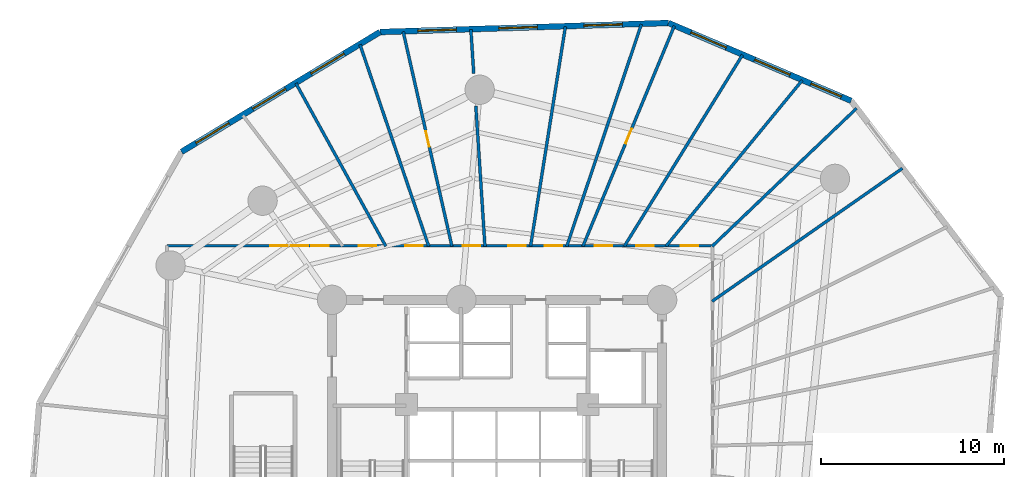
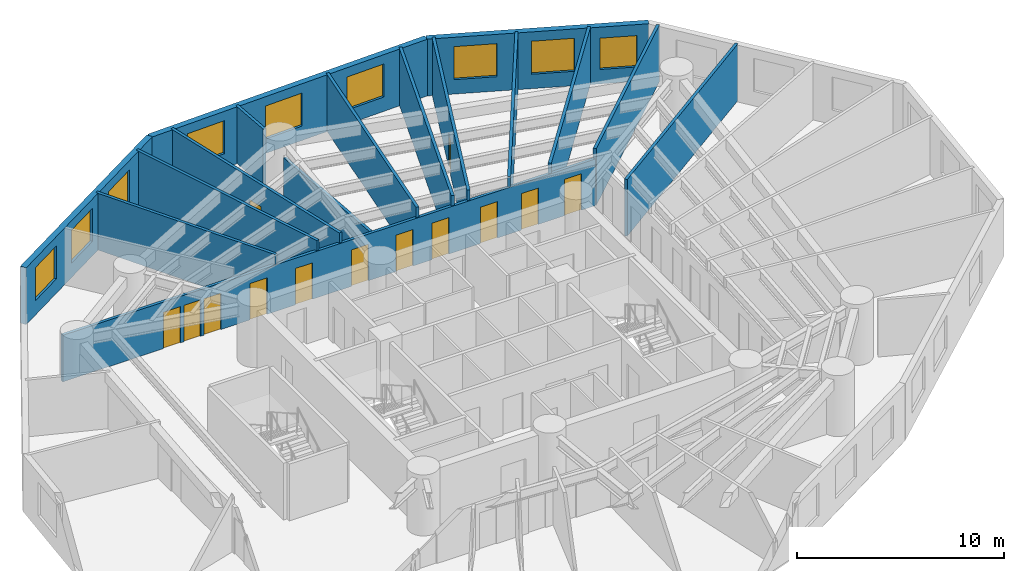
# One storey, part 6 of 8: 16 walls, 13 doors, 9 windows, 22 openings.
"""IFC4 building model written with IfcOpenShell, lengths in metres."""

from ifc_helpers import new_model, si_unit, direction, frame, frame_2d, origin, origin_with_axes, place, context, subcontext, project, spatial, rectangle, extrude, source, transform, mapped, material, layer, layer_set, type_object, element, fill, save


model = new_model("IFC4")

# Units and contexts
model_context = context("Model", 3, precision=1e-05, world=origin(), true_north=direction((0.0, 1.0)))
body_context = subcontext(model_context, "Body", "Model", "MODEL_VIEW")
ifc_project = project(units=[si_unit("LENGTHUNIT", "METRE"), si_unit("AREAUNIT", "SQUARE_METRE"), si_unit("VOLUMEUNIT", "CUBIC_METRE"), si_unit("PLANEANGLEUNIT", "RADIAN"), si_unit("MASSUNIT", "GRAM", prefix="KILO")], contexts=[model_context])

# Site, building, storey
site_placement = place(None, origin())
site = spatial("IfcSite", under=ifc_project, at=site_placement, CompositionType="ELEMENT")
building_placement = place(site_placement, origin())
building = spatial("IfcBuilding", under=site, at=building_placement, Name="Karkom Vertical University and Central Library", CompositionType="ELEMENT")
storey_placement = place(building_placement, frame((0.0, 0.0, 33.699951171875)))
storey = spatial("IfcBuildingStorey", under=building, at=storey_placement, Name="L08", CompositionType="ELEMENT", Elevation=33.699951171875)

# Wall, openings, windows
ifc_material_1 = material(Name="Brick-faced precast concrete C45/55", Category="masonry")
ifc_layer_1 = layer(ifc_material_1, 0.320068359375)
ifc_layer_set_1 = layer_set([ifc_layer_1], Name="Brick-faced precast concrete C45/55")
wall_type_1 = type_object("IfcWallType", Name="ENV-WL-BRK-320", PredefinedType="SOLIDWALL", material=ifc_layer_set_1)
wall_1_placement = place(storey_placement, frame((22.1162109375, 49.305908203125, 0.0), z_axis=(0.0, 0.0, 1.0), x_axis=(-0.856078953707, -0.516845068681, 0.0)))
wall_1 = element("IfcWall", 1, at=wall_1_placement, inside=storey, type_object=wall_type_1, Name="Level 08 Brick-Faced Precast Facade Wall 01", PredefinedType="SOLIDWALL", context=body_context, shape_type="SweptSolid", body=[
    extrude(rectangle(XDim=12.643310546875, YDim=0.320068359375, at=frame_2d((6.32177734375, 0.0))), origin(), (0.0, 0.0, 1.0), 3.35009765625),
])
opening_1_placement = place(wall_1_placement, frame((2.285888671875, 0.0, 0.85009765625)))
opening_1 = element("IfcOpeningElement", 2, at=opening_1_placement, cuts=wall_1, Name="Opening WN-03", PredefinedType="OPENING", context=body_context, shape_type="SweptSolid", body=[
    extrude(rectangle(XDim=2.10009765625, YDim=1.949951171875, at=frame_2d((1.050048828125, 0.97509765625))), frame((0.0, 0.169921875, 0.0), z_axis=(0.0, -1.0, 0.0), x_axis=(1.0, 0.0, 0.0)), (0.0, 0.0, 1.0), 0.340087890625),
])
opening_2_placement = place(wall_1_placement, frame((6.010986328125, 0.0, 0.85009765625)))
opening_2 = element("IfcOpeningElement", 3, at=opening_2_placement, cuts=wall_1, Name="Opening WN-03", PredefinedType="OPENING", context=body_context, shape_type="SweptSolid", body=[
    extrude(rectangle(XDim=2.10009765625, YDim=1.949951171875, at=frame_2d((1.050048828125, 0.97509765625))), frame((0.0, 0.169921875, 0.0), z_axis=(0.0, -1.0, 0.0), x_axis=(1.0, 0.0, 0.0)), (0.0, 0.0, 1.0), 0.340087890625),
])
opening_3_placement = place(wall_1_placement, frame((9.6162109375, 0.0, 0.85009765625)))
opening_3 = element("IfcOpeningElement", 4, at=opening_3_placement, cuts=wall_1, Name="Opening WN-03", PredefinedType="OPENING", context=body_context, shape_type="SweptSolid", body=[
    extrude(rectangle(XDim=2.10009765625, YDim=1.949951171875, at=frame_2d((1.050048828125, 0.97509765625))), frame((0.0, 0.169921875, 0.0), z_axis=(0.0, -1.0, 0.0), x_axis=(1.0, 0.0, 0.0)), (0.0, 0.0, 1.0), 0.340087890625),
])
ifc_material_2 = material(Name="Aluminium thermal-break frame with solar-control IGU", Category="aluminium")
window_type_1 = type_object("IfcWindowType", Name="ENV-WIN-WN-03", PartitioningType="SINGLE_PANEL", PredefinedType="WINDOW", material=ifc_material_2)
shared_shape_1 = source(origin_with_axes(), body_context, "Body", "SweptSolid", [
    extrude(rectangle(XDim=2.10009765625, YDim=1.949951171875, at=frame_2d((1.050048828125, 0.97509765625))), frame((0.0, 0.030029296875, 0.0), z_axis=(0.0, -1.0, 0.0), x_axis=(1.0, 0.0, 0.0)), (0.0, 0.0, 1.0), 0.06005859375),
])
window_1_placement = place(opening_1_placement, origin())
window_1 = element("IfcWindow", 5, at=window_1_placement, inside=storey, type_object=window_type_1, Name="Level 08 Punched Window 1.1", OverallHeight=1.949951171875, OverallWidth=2.10009765625, PartitioningType="SINGLE_PANEL", PredefinedType="WINDOW", context=body_context, shape_type="MappedRepresentation", body=[
    mapped(shared_shape_1, transform((0.0, 0.0, 0.0), scale=1.0)),
])
fill(opening_1, window_1)
window_2_placement = place(opening_2_placement, origin())
window_2 = element("IfcWindow", 6, at=window_2_placement, inside=storey, type_object=window_type_1, Name="Level 08 Punched Window 1.2", OverallHeight=1.949951171875, OverallWidth=2.10009765625, PartitioningType="SINGLE_PANEL", PredefinedType="WINDOW", context=body_context, shape_type="MappedRepresentation", body=[
    mapped(shared_shape_1, transform((0.0, 0.0, 0.0), scale=1.0)),
])
fill(opening_2, window_2)
window_3_placement = place(opening_3_placement, origin())
window_3 = element("IfcWindow", 7, at=window_3_placement, inside=storey, type_object=window_type_1, Name="Level 08 Punched Window 1.3", OverallHeight=1.949951171875, OverallWidth=2.10009765625, PartitioningType="SINGLE_PANEL", PredefinedType="WINDOW", context=body_context, shape_type="MappedRepresentation", body=[
    mapped(shared_shape_1, transform((0.0, 0.0, 0.0), scale=1.0)),
])
fill(opening_3, window_3)

wall_2_placement = place(storey_placement, frame((47.807373046875, 45.5546875, 0.0), z_axis=(0.0, 0.0, 1.0), x_axis=(-0.919989506937, 0.391942989637, 0.0)))
wall_2 = element("IfcWall", 8, at=wall_2_placement, inside=storey, type_object=wall_type_1, Name="Level 08 Brick-Faced Precast Facade Wall 11", PredefinedType="SOLIDWALL", context=body_context, shape_type="SweptSolid", body=[
    extrude(rectangle(XDim=10.8291015625, YDim=0.320068359375, at=frame_2d((5.41455078125, 0.0))), origin(), (0.0, 0.0, 1.0), 3.35009765625),
])
opening_4_placement = place(wall_2_placement, frame((0.58251953125, 0.0, 0.85009765625)))
opening_4 = element("IfcOpeningElement", 9, at=opening_4_placement, cuts=wall_2, Name="Opening WN-04", PredefinedType="OPENING", context=body_context, shape_type="SweptSolid", body=[
    extrude(rectangle(XDim=1.800048828125, YDim=1.85009765625, at=frame_2d((0.89990234375, 0.925048828125))), frame((0.0, 0.169921875, 0.0), z_axis=(0.0, -1.0, 0.0), x_axis=(1.0, 0.0, 0.0)), (0.0, 0.0, 1.0), 0.340087890625),
])
opening_5_placement = place(wall_2_placement, frame((3.621337890625, 0.0, 0.85009765625)))
opening_5 = element("IfcOpeningElement", 10, at=opening_5_placement, cuts=wall_2, Name="Opening WN-03", PredefinedType="OPENING", context=body_context, shape_type="SweptSolid", body=[
    extrude(rectangle(XDim=2.10009765625, YDim=1.949951171875, at=frame_2d((1.050048828125, 0.97509765625))), frame((0.0, 0.169921875, 0.0), z_axis=(0.0, -1.0, 0.0), x_axis=(1.0, 0.0, 0.0)), (0.0, 0.0, 1.0), 0.340087890625),
])
opening_6_placement = place(wall_2_placement, frame((7.405029296875, 0.0, 0.85009765625)))
opening_6 = element("IfcOpeningElement", 11, at=opening_6_placement, cuts=wall_2, Name="Opening WN-03", PredefinedType="OPENING", context=body_context, shape_type="SweptSolid", body=[
    extrude(rectangle(XDim=2.10009765625, YDim=1.949951171875, at=frame_2d((1.050048828125, 0.97509765625))), frame((0.0, 0.169921875, 0.0), z_axis=(0.0, -1.0, 0.0), x_axis=(1.0, 0.0, 0.0)), (0.0, 0.0, 1.0), 0.340087890625),
])
window_4_placement = place(opening_5_placement, origin())
window_4 = element("IfcWindow", 12, at=window_4_placement, inside=storey, type_object=window_type_1, Name="Level 08 Punched Window 11.2", OverallHeight=1.949951171875, OverallWidth=2.10009765625, PartitioningType="SINGLE_PANEL", PredefinedType="WINDOW", context=body_context, shape_type="MappedRepresentation", body=[
    mapped(shared_shape_1, transform((0.0, 0.0, 0.0), scale=1.0)),
])
fill(opening_5, window_4)
window_5_placement = place(opening_6_placement, origin())
window_5 = element("IfcWindow", 13, at=window_5_placement, inside=storey, type_object=window_type_1, Name="Level 08 Punched Window 11.3", OverallHeight=1.949951171875, OverallWidth=2.10009765625, PartitioningType="SINGLE_PANEL", PredefinedType="WINDOW", context=body_context, shape_type="MappedRepresentation", body=[
    mapped(shared_shape_1, transform((0.0, 0.0, 0.0), scale=1.0)),
])
fill(opening_6, window_5)
window_type_2 = type_object("IfcWindowType", Name="ENV-WIN-WN-04", PartitioningType="SINGLE_PANEL", PredefinedType="WINDOW", material=ifc_material_2)
shared_shape_2 = source(origin_with_axes(), body_context, "Body", "SweptSolid", [
    extrude(rectangle(XDim=1.800048828125, YDim=1.85009765625, at=frame_2d((0.89990234375, 0.925048828125))), frame((0.0, 0.030029296875, 0.0), z_axis=(0.0, -1.0, 0.0), x_axis=(1.0, 0.0, 0.0)), (0.0, 0.0, 1.0), 0.06005859375),
])
window_6_placement = place(opening_4_placement, origin())
window_6 = element("IfcWindow", 14, at=window_6_placement, inside=storey, type_object=window_type_2, Name="Level 08 Punched Window 11.1", OverallHeight=1.85009765625, OverallWidth=1.800048828125, PartitioningType="SINGLE_PANEL", PredefinedType="WINDOW", context=body_context, shape_type="MappedRepresentation", body=[
    mapped(shared_shape_2, transform((0.0, 0.0, 0.0), scale=1.0)),
])
fill(opening_4, window_6)

wall_3_placement = place(storey_placement, frame((37.8447265625, 49.799072265625, 0.0), z_axis=(0.0, 0.0, 1.0), x_axis=(-0.999508801206, -0.031339373191, 0.0)))
wall_3 = element("IfcWall", 15, at=wall_3_placement, inside=storey, type_object=wall_type_1, Name="Level 08 Brick-Faced Precast Facade Wall 12", PredefinedType="SOLIDWALL", context=body_context, shape_type="SweptSolid", body=[
    extrude(rectangle(XDim=15.736328125, YDim=0.320068359375, at=frame_2d((7.8681640625, 0.0))), origin(), (0.0, 0.0, 1.0), 3.35009765625),
])
opening_7_placement = place(wall_3_placement, frame((2.511474609375, 0.0, 0.85009765625)))
opening_7 = element("IfcOpeningElement", 16, at=opening_7_placement, cuts=wall_3, Name="Opening WN-03", PredefinedType="OPENING", context=body_context, shape_type="SweptSolid", body=[
    extrude(rectangle(XDim=2.10009765625, YDim=1.949951171875, at=frame_2d((1.050048828125, 0.97509765625))), frame((0.0, 0.169921875, 0.0), z_axis=(0.0, -1.0, 0.0), x_axis=(1.0, 0.0, 0.0)), (0.0, 0.0, 1.0), 0.340087890625),
])
opening_8_placement = place(wall_3_placement, frame((7.155029296875, 0.0, 0.85009765625)))
opening_8 = element("IfcOpeningElement", 17, at=opening_8_placement, cuts=wall_3, Name="Opening WN-03", PredefinedType="OPENING", context=body_context, shape_type="SweptSolid", body=[
    extrude(rectangle(XDim=2.10009765625, YDim=1.949951171875, at=frame_2d((1.050048828125, 0.97509765625))), frame((0.0, 0.169921875, 0.0), z_axis=(0.0, -1.0, 0.0), x_axis=(1.0, 0.0, 0.0)), (0.0, 0.0, 1.0), 0.340087890625),
])
opening_9_placement = place(wall_3_placement, frame((11.572265625, 0.0, 0.85009765625)))
opening_9 = element("IfcOpeningElement", 18, at=opening_9_placement, cuts=wall_3, Name="Opening WN-03", PredefinedType="OPENING", context=body_context, shape_type="SweptSolid", body=[
    extrude(rectangle(XDim=2.10009765625, YDim=1.949951171875, at=frame_2d((1.050048828125, 0.97509765625))), frame((0.0, 0.169921875, 0.0), z_axis=(0.0, -1.0, 0.0), x_axis=(1.0, 0.0, 0.0)), (0.0, 0.0, 1.0), 0.340087890625),
])
window_7_placement = place(opening_7_placement, origin())
window_7 = element("IfcWindow", 19, at=window_7_placement, inside=storey, type_object=window_type_1, Name="Level 08 Punched Window 12.1", OverallHeight=1.949951171875, OverallWidth=2.10009765625, PartitioningType="SINGLE_PANEL", PredefinedType="WINDOW", context=body_context, shape_type="MappedRepresentation", body=[
    mapped(shared_shape_1, transform((0.0, 0.0, 0.0), scale=1.0)),
])
fill(opening_7, window_7)
window_8_placement = place(opening_8_placement, origin())
window_8 = element("IfcWindow", 20, at=window_8_placement, inside=storey, type_object=window_type_1, Name="Level 08 Punched Window 12.2", OverallHeight=1.949951171875, OverallWidth=2.10009765625, PartitioningType="SINGLE_PANEL", PredefinedType="WINDOW", context=body_context, shape_type="MappedRepresentation", body=[
    mapped(shared_shape_1, transform((0.0, 0.0, 0.0), scale=1.0)),
])
fill(opening_8, window_8)
window_9_placement = place(opening_9_placement, origin())
window_9 = element("IfcWindow", 21, at=window_9_placement, inside=storey, type_object=window_type_1, Name="Level 08 Punched Window 12.3", OverallHeight=1.949951171875, OverallWidth=2.10009765625, PartitioningType="SINGLE_PANEL", PredefinedType="WINDOW", context=body_context, shape_type="MappedRepresentation", body=[
    mapped(shared_shape_1, transform((0.0, 0.0, 0.0), scale=1.0)),
])
fill(opening_9, window_9)

# Wall, openings, doors
ifc_material_3 = material(Name="Insulated metal-stud drywall 160mm", Category="gypsum")
ifc_layer_2 = layer(ifc_material_3, 0.159912109375)
ifc_layer_set_2 = layer_set([ifc_layer_2], Name="Insulated metal-stud drywall 160mm")
wall_type_2 = type_object("IfcWallType", Name="INT-WL-COR-160", PredefinedType="PARTITIONING", material=ifc_layer_set_2)
wall_4_placement = place(storey_placement, frame((10.5, 37.64990234375, 0.0), z_axis=(0.0, 0.0, 1.0), x_axis=(1.0, 0.0, 0.0)))
wall_4 = element("IfcWall", 22, at=wall_4_placement, inside=storey, type_object=wall_type_2, Name="Level 08 Interior Partition Wall Level 08-CORW-CW-003", PredefinedType="PARTITIONING", context=body_context, shape_type="SweptSolid", body=[
    extrude(rectangle(XDim=29.75, YDim=0.159912109375, at=frame_2d((14.875, 0.0))), origin(), (0.0, 0.0, 1.0), 2.75),
])
opening_10_placement = place(wall_4_placement, frame((28.0078125, 0.0, 0.0)))
opening_10 = element("IfcOpeningElement", 23, at=opening_10_placement, cuts=wall_4, Name="Opening D-RM1", PredefinedType="OPENING", context=body_context, shape_type="SweptSolid", body=[
    extrude(rectangle(XDim=0.949951171875, YDim=2.14990234375, at=frame_2d((0.47509765625, 1.074951171875))), frame((0.0, 0.08984375, 0.0), z_axis=(0.0, -1.0, 0.0), x_axis=(1.0, 0.0, 0.0)), (0.0, 0.0, 1.0), 0.179931640625),
])
opening_11_placement = place(wall_4_placement, frame((25.59912109375, 0.0, 0.0)))
opening_11 = element("IfcOpeningElement", 24, at=opening_11_placement, cuts=wall_4, Name="Opening D-RM1", PredefinedType="OPENING", context=body_context, shape_type="SweptSolid", body=[
    extrude(rectangle(XDim=0.949951171875, YDim=2.14990234375, at=frame_2d((0.47509765625, 1.074951171875))), frame((0.0, 0.08984375, 0.0), z_axis=(0.0, -1.0, 0.0), x_axis=(1.0, 0.0, 0.0)), (0.0, 0.0, 1.0), 0.179931640625),
])
opening_12_placement = place(wall_4_placement, frame((23.31884765625, 0.0, 0.0)))
opening_12 = element("IfcOpeningElement", 25, at=opening_12_placement, cuts=wall_4, Name="Opening D-RM1", PredefinedType="OPENING", context=body_context, shape_type="SweptSolid", body=[
    extrude(rectangle(XDim=0.949951171875, YDim=2.14990234375, at=frame_2d((0.47509765625, 1.074951171875))), frame((0.0, 0.08984375, 0.0), z_axis=(0.0, -1.0, 0.0), x_axis=(1.0, 0.0, 0.0)), (0.0, 0.0, 1.0), 0.179931640625),
])
opening_13_placement = place(wall_4_placement, frame((20.597412109375, 0.0, 0.0)))
opening_13 = element("IfcOpeningElement", 26, at=opening_13_placement, cuts=wall_4, Name="Opening D-RM1", PredefinedType="OPENING", context=body_context, shape_type="SweptSolid", body=[
    extrude(rectangle(XDim=0.949951171875, YDim=2.14990234375, at=frame_2d((0.47509765625, 1.074951171875))), frame((0.0, 0.08984375, 0.0), z_axis=(0.0, -1.0, 0.0), x_axis=(1.0, 0.0, 0.0)), (0.0, 0.0, 1.0), 0.179931640625),
])
opening_14_placement = place(wall_4_placement, frame((18.611083984375, 0.0, 0.0)))
opening_14 = element("IfcOpeningElement", 27, at=opening_14_placement, cuts=wall_4, Name="Opening D-RM1", PredefinedType="OPENING", context=body_context, shape_type="SweptSolid", body=[
    extrude(rectangle(XDim=0.949951171875, YDim=2.14990234375, at=frame_2d((0.47509765625, 1.074951171875))), frame((0.0, 0.08984375, 0.0), z_axis=(0.0, -1.0, 0.0), x_axis=(1.0, 0.0, 0.0)), (0.0, 0.0, 1.0), 0.179931640625),
])
opening_15_placement = place(wall_4_placement, frame((16.12255859375, 0.0, 0.0)))
opening_15 = element("IfcOpeningElement", 28, at=opening_15_placement, cuts=wall_4, Name="Opening D-RM1", PredefinedType="OPENING", context=body_context, shape_type="SweptSolid", body=[
    extrude(rectangle(XDim=0.949951171875, YDim=2.14990234375, at=frame_2d((0.47509765625, 1.074951171875))), frame((0.0, 0.08984375, 0.0), z_axis=(0.0, -1.0, 0.0), x_axis=(1.0, 0.0, 0.0)), (0.0, 0.0, 1.0), 0.179931640625),
])
opening_16_placement = place(wall_4_placement, frame((12.99609375, 0.0, 0.0)))
opening_16 = element("IfcOpeningElement", 29, at=opening_16_placement, cuts=wall_4, Name="Opening D-RM1", PredefinedType="OPENING", context=body_context, shape_type="SweptSolid", body=[
    extrude(rectangle(XDim=0.949951171875, YDim=2.14990234375, at=frame_2d((0.47509765625, 1.074951171875))), frame((0.0, 0.08984375, 0.0), z_axis=(0.0, -1.0, 0.0), x_axis=(1.0, 0.0, 0.0)), (0.0, 0.0, 1.0), 0.179931640625),
])
opening_17_placement = place(wall_4_placement, frame((10.4599609375, 0.0, 0.0)))
opening_17 = element("IfcOpeningElement", 30, at=opening_17_placement, cuts=wall_4, Name="Opening D-RM1", PredefinedType="OPENING", context=body_context, shape_type="SweptSolid", body=[
    extrude(rectangle(XDim=0.949951171875, YDim=2.14990234375, at=frame_2d((0.47509765625, 1.074951171875))), frame((0.0, 0.08984375, 0.0), z_axis=(0.0, -1.0, 0.0), x_axis=(1.0, 0.0, 0.0)), (0.0, 0.0, 1.0), 0.179931640625),
])
opening_18_placement = place(wall_4_placement, frame((7.875732421875, 0.0, 0.0)))
opening_18 = element("IfcOpeningElement", 31, at=opening_18_placement, cuts=wall_4, Name="Opening D-RM1", PredefinedType="OPENING", context=body_context, shape_type="SweptSolid", body=[
    extrude(rectangle(XDim=0.949951171875, YDim=2.14990234375, at=frame_2d((0.47509765625, 1.074951171875))), frame((0.0, 0.08984375, 0.0), z_axis=(0.0, -1.0, 0.0), x_axis=(1.0, 0.0, 0.0)), (0.0, 0.0, 1.0), 0.179931640625),
])
opening_19_placement = place(wall_4_placement, frame((6.74755859375, 0.0, 0.0)))
opening_19 = element("IfcOpeningElement", 32, at=opening_19_placement, cuts=wall_4, Name="Opening D-RM1", PredefinedType="OPENING", context=body_context, shape_type="SweptSolid", body=[
    extrude(rectangle(XDim=0.949951171875, YDim=2.14990234375, at=frame_2d((0.47509765625, 1.074951171875))), frame((0.0, 0.08984375, 0.0), z_axis=(0.0, -1.0, 0.0), x_axis=(1.0, 0.0, 0.0)), (0.0, 0.0, 1.0), 0.179931640625),
])
opening_20_placement = place(wall_4_placement, frame((5.62255859375, 0.0, 0.0)))
opening_20 = element("IfcOpeningElement", 33, at=opening_20_placement, cuts=wall_4, Name="Opening D-RM1", PredefinedType="OPENING", context=body_context, shape_type="SweptSolid", body=[
    extrude(rectangle(XDim=0.949951171875, YDim=2.14990234375, at=frame_2d((0.47509765625, 1.074951171875))), frame((0.0, 0.08984375, 0.0), z_axis=(0.0, -1.0, 0.0), x_axis=(1.0, 0.0, 0.0)), (0.0, 0.0, 1.0), 0.179931640625),
])
ifc_material_4 = material(Name="Solid-core oak veneer door", Category="wood")
door_type_1 = type_object("IfcDoorType", Name="INT-DR-RM1", OperationType="NOTDEFINED", PredefinedType="DOOR", material=ifc_material_4)
shared_shape_3 = source(origin_with_axes(), body_context, "Body", "SweptSolid", [
    extrude(rectangle(XDim=0.949951171875, YDim=2.14990234375, at=frame_2d((0.47509765625, 1.074951171875))), frame((0.0, 0.02490234375, 0.0), z_axis=(0.0, -1.0, 0.0), x_axis=(1.0, 0.0, 0.0)), (0.0, 0.0, 1.0), 0.050048828125),
])
door_1_placement = place(opening_10_placement, origin())
door_1 = element("IfcDoor", 34, at=door_1_placement, inside=storey, type_object=door_type_1, Name="Level 08 Room Entry Door 170", OperationType="SINGLE_SWING_LEFT", OverallHeight=2.14990234375, OverallWidth=0.949951171875, PredefinedType="DOOR", context=body_context, shape_type="MappedRepresentation", body=[
    mapped(shared_shape_3, transform((0.0, 0.0, 0.0), scale=1.0)),
])
fill(opening_10, door_1)
door_2_placement = place(opening_11_placement, origin())
door_2 = element("IfcDoor", 35, at=door_2_placement, inside=storey, type_object=door_type_1, Name="Level 08 Room Entry Door 180", OperationType="SINGLE_SWING_RIGHT", OverallHeight=2.14990234375, OverallWidth=0.949951171875, PredefinedType="DOOR", context=body_context, shape_type="MappedRepresentation", body=[
    mapped(shared_shape_3, transform((0.0, 0.0, 0.0), scale=1.0)),
])
fill(opening_11, door_2)
door_3_placement = place(opening_12_placement, origin())
door_3 = element("IfcDoor", 36, at=door_3_placement, inside=storey, type_object=door_type_1, Name="Level 08 Room Entry Door 190", OperationType="SINGLE_SWING_LEFT", OverallHeight=2.14990234375, OverallWidth=0.949951171875, PredefinedType="DOOR", context=body_context, shape_type="MappedRepresentation", body=[
    mapped(shared_shape_3, transform((0.0, 0.0, 0.0), scale=1.0)),
])
fill(opening_12, door_3)
door_4_placement = place(opening_13_placement, origin())
door_4 = element("IfcDoor", 37, at=door_4_placement, inside=storey, type_object=door_type_1, Name="Level 08 Room Entry Door 200", OperationType="SINGLE_SWING_RIGHT", OverallHeight=2.14990234375, OverallWidth=0.949951171875, PredefinedType="DOOR", context=body_context, shape_type="MappedRepresentation", body=[
    mapped(shared_shape_3, transform((0.0, 0.0, 0.0), scale=1.0)),
])
fill(opening_13, door_4)
door_5_placement = place(opening_14_placement, origin())
door_5 = element("IfcDoor", 38, at=door_5_placement, inside=storey, type_object=door_type_1, Name="Level 08 Room Entry Door 210", OperationType="SINGLE_SWING_LEFT", OverallHeight=2.14990234375, OverallWidth=0.949951171875, PredefinedType="DOOR", context=body_context, shape_type="MappedRepresentation", body=[
    mapped(shared_shape_3, transform((0.0, 0.0, 0.0), scale=1.0)),
])
fill(opening_14, door_5)
door_6_placement = place(opening_15_placement, origin())
door_6 = element("IfcDoor", 39, at=door_6_placement, inside=storey, type_object=door_type_1, Name="Level 08 Room Entry Door 220", OperationType="SINGLE_SWING_RIGHT", OverallHeight=2.14990234375, OverallWidth=0.949951171875, PredefinedType="DOOR", context=body_context, shape_type="MappedRepresentation", body=[
    mapped(shared_shape_3, transform((0.0, 0.0, 0.0), scale=1.0)),
])
fill(opening_15, door_6)
door_7_placement = place(opening_16_placement, origin())
door_7 = element("IfcDoor", 40, at=door_7_placement, inside=storey, type_object=door_type_1, Name="Level 08 Room Entry Door 230", OperationType="SINGLE_SWING_LEFT", OverallHeight=2.14990234375, OverallWidth=0.949951171875, PredefinedType="DOOR", context=body_context, shape_type="MappedRepresentation", body=[
    mapped(shared_shape_3, transform((0.0, 0.0, 0.0), scale=1.0)),
])
fill(opening_16, door_7)
door_8_placement = place(opening_17_placement, origin())
door_8 = element("IfcDoor", 41, at=door_8_placement, inside=storey, type_object=door_type_1, Name="Level 08 Room Entry Door 240", OperationType="SINGLE_SWING_RIGHT", OverallHeight=2.14990234375, OverallWidth=0.949951171875, PredefinedType="DOOR", context=body_context, shape_type="MappedRepresentation", body=[
    mapped(shared_shape_3, transform((0.0, 0.0, 0.0), scale=1.0)),
])
fill(opening_17, door_8)
door_9_placement = place(opening_18_placement, origin())
door_9 = element("IfcDoor", 42, at=door_9_placement, inside=storey, type_object=door_type_1, Name="Level 08 Room Entry Door 250", OperationType="SINGLE_SWING_LEFT", OverallHeight=2.14990234375, OverallWidth=0.949951171875, PredefinedType="DOOR", context=body_context, shape_type="MappedRepresentation", body=[
    mapped(shared_shape_3, transform((0.0, 0.0, 0.0), scale=1.0)),
])
fill(opening_18, door_9)
door_10_placement = place(opening_19_placement, origin())
door_10 = element("IfcDoor", 43, at=door_10_placement, inside=storey, type_object=door_type_1, Name="Level 08 Room Entry Door 260", OperationType="SINGLE_SWING_RIGHT", OverallHeight=2.14990234375, OverallWidth=0.949951171875, PredefinedType="DOOR", context=body_context, shape_type="MappedRepresentation", body=[
    mapped(shared_shape_3, transform((0.0, 0.0, 0.0), scale=1.0)),
])
fill(opening_19, door_10)
door_11_placement = place(opening_20_placement, origin())
door_11 = element("IfcDoor", 44, at=door_11_placement, inside=storey, type_object=door_type_1, Name="Level 08 Room Entry Door 270", OperationType="SINGLE_SWING_LEFT", OverallHeight=2.14990234375, OverallWidth=0.949951171875, PredefinedType="DOOR", context=body_context, shape_type="MappedRepresentation", body=[
    mapped(shared_shape_3, transform((0.0, 0.0, 0.0), scale=1.0)),
])
fill(opening_20, door_11)

# Wall, opening, door
wall_5_placement = place(storey_placement, frame((33.1787109375, 37.622314453125, 0.0), z_axis=(0.0, 0.0, 1.0), x_axis=(0.383172838405, 0.923676661992, 0.0)))
wall_5 = element("IfcWall", 45, at=wall_5_placement, inside=storey, type_object=wall_type_2, Name="Level 08 Interior Partition Wall Level 08-PW-024", PredefinedType="PARTITIONING", context=body_context, shape_type="SweptSolid", body=[
    extrude(rectangle(XDim=13.0068359375, YDim=0.159912109375, at=frame_2d((6.50341796875, 0.0))), origin(), (0.0, 0.0, 1.0), 3.35009765625),
])
opening_21_placement = place(wall_5_placement, frame((6.073486328125, 0.0, 0.0)))
opening_21 = element("IfcOpeningElement", 46, at=opening_21_placement, cuts=wall_5, Name="Opening FD-BTH2", PredefinedType="OPENING", context=body_context, shape_type="SweptSolid", body=[
    extrude(rectangle(XDim=0.860107421875, YDim=2.0400390625, at=frame_2d((0.43017578125, 1.02001953125))), frame((0.0, 0.08984375, 0.0), z_axis=(0.0, -1.0, 0.0), x_axis=(1.0, 0.0, 0.0)), (0.0, 0.0, 1.0), 0.179931640625),
])
ifc_material_5 = material(Name="Fire-rated moisture-resistant oak door", Category="wood")
door_type_2 = type_object("IfcDoorType", Name="INT-DR-FBTH2", OperationType="NOTDEFINED", PredefinedType="DOOR", material=ifc_material_5)
shared_shape_4 = source(origin_with_axes(), body_context, "Body", "SweptSolid", [
    extrude(rectangle(XDim=0.860107421875, YDim=2.0400390625, at=frame_2d((0.43017578125, 1.02001953125))), frame((0.0, 0.02490234375, 0.0), z_axis=(0.0, -1.0, 0.0), x_axis=(1.0, 0.0, 0.0)), (0.0, 0.0, 1.0), 0.050048828125),
])
door_12_placement = place(opening_21_placement, origin())
door_12 = element("IfcDoor", 47, at=door_12_placement, inside=storey, type_object=door_type_2, Name="Level 08 Academic Collaborative Study Lounge Entry Door", OperationType="SINGLE_SWING_LEFT", OverallHeight=2.0400390625, OverallWidth=0.860107421875, PredefinedType="DOOR", context=body_context, shape_type="MappedRepresentation", body=[
    mapped(shared_shape_4, transform((0.0, 0.0, 0.0), scale=1.0)),
])
fill(opening_21, door_12)

# Walls
wall_6_placement = place(storey_placement, frame((32.295166015625, 37.607421875, 0.0), z_axis=(0.0, 0.0, 1.0), x_axis=(0.318501732795, 0.947922278569, 0.0)))
element("IfcWall", 48, at=wall_6_placement, inside=storey, type_object=wall_type_2, Name="Level 08 Interior Partition Wall Level 08-PW-025", PredefinedType="PARTITIONING", context=body_context, shape_type="SweptSolid", body=[
    extrude(rectangle(XDim=12.781982421875, YDim=0.159912109375, at=frame_2d((6.39111328125, 0.0))), origin(), (0.0, 0.0, 1.0), 3.35009765625),
])
wall_7_placement = place(storey_placement, frame((40.225341796875, 34.620849609375, 0.0), z_axis=(0.0, 0.0, 1.0), x_axis=(0.819692125895, 0.572804345956, 0.0)))
element("IfcWall", 49, at=wall_7_placement, inside=storey, type_object=wall_type_2, Name="Level 08 Interior Partition Wall Level 08-PW-020", PredefinedType="PARTITIONING", context=body_context, shape_type="SweptSolid", body=[
    extrude(rectangle(XDim=12.653564453125, YDim=0.159912109375, at=frame_2d((6.32666015625, 0.0))), origin(), (0.0, 0.0, 1.0), 3.35009765625),
])
wall_8_placement = place(storey_placement, frame((35.440185546875, 37.62451171875, 0.0), z_axis=(0.0, 0.0, 1.0), x_axis=(0.525421629301, 0.850842001468, 0.0)))
element("IfcWall", 50, at=wall_8_placement, inside=storey, type_object=wall_type_2, Name="Level 08 Interior Partition Wall Level 08-PW-023", PredefinedType="PARTITIONING", context=body_context, shape_type="SweptSolid", body=[
    extrude(rectangle(XDim=12.255859375, YDim=0.159912109375, at=frame_2d((6.1279296875, 0.0))), origin(), (0.0, 0.0, 1.0), 3.35009765625),
])
wall_9_placement = place(storey_placement, frame((30.32470703125, 37.620361328125, 0.0), z_axis=(0.0, 0.0, 1.0), x_axis=(0.156659374138, 0.987652692243, 0.0)))
element("IfcWall", 51, at=wall_9_placement, inside=storey, type_object=wall_type_2, Name="Level 08 Interior Partition Wall Level 08-PW-026", PredefinedType="PARTITIONING", context=body_context, shape_type="SweptSolid", body=[
    extrude(rectangle(XDim=12.1259765625, YDim=0.159912109375, at=frame_2d((6.06298828125, 0.0))), origin(), (0.0, 0.0, 1.0), 3.35009765625),
])

# Wall, opening, door
wall_10_placement = place(storey_placement, frame((26.036865234375, 37.62060546875, 0.0), z_axis=(0.0, 0.0, 1.0), x_axis=(-0.221403828969, 0.975182210932, 0.0)))
wall_10 = element("IfcWall", 52, at=wall_10_placement, inside=storey, type_object=wall_type_2, Name="Level 08 Interior Partition Wall Level 08-PW-029", PredefinedType="PARTITIONING", context=body_context, shape_type="SweptSolid", body=[
    extrude(rectangle(XDim=11.99609375, YDim=0.159912109375, at=frame_2d((5.998046875, 0.0))), origin(), (0.0, 0.0, 1.0), 3.35009765625),
])
opening_22_placement = place(wall_10_placement, frame((5.568115234375, 0.0, 0.0)))
opening_22 = element("IfcOpeningElement", 53, at=opening_22_placement, cuts=wall_10, Name="Opening FD-BTH2", PredefinedType="OPENING", context=body_context, shape_type="SweptSolid", body=[
    extrude(rectangle(XDim=0.860107421875, YDim=2.0400390625, at=frame_2d((0.43017578125, 1.02001953125))), frame((0.0, 0.08984375, 0.0), z_axis=(0.0, -1.0, 0.0), x_axis=(1.0, 0.0, 0.0)), (0.0, 0.0, 1.0), 0.179931640625),
])
door_13_placement = place(opening_22_placement, origin())
door_13 = element("IfcDoor", 54, at=door_13_placement, inside=storey, type_object=door_type_2, Name="Level 08 Departmental Reference Reading Library Entry Door", OperationType="SINGLE_SWING_RIGHT", OverallHeight=2.0400390625, OverallWidth=0.860107421875, PredefinedType="DOOR", context=body_context, shape_type="MappedRepresentation", body=[
    mapped(shared_shape_4, transform((0.0, 0.0, 0.0), scale=1.0)),
])
fill(opening_22, door_13)

# Walls
wall_11_placement = place(storey_placement, frame((37.713134765625, 37.626708984375, 0.0), z_axis=(0.0, 0.0, 1.0), x_axis=(0.634544387192, 0.772886421593, 0.0)))
element("IfcWall", 55, at=wall_11_placement, inside=storey, type_object=wall_type_2, Name="Level 08 Interior Partition Wall Level 08-PW-022", PredefinedType="PARTITIONING", context=body_context, shape_type="SweptSolid", body=[
    extrude(rectangle(XDim=11.693359375, YDim=0.159912109375, at=frame_2d((5.8466796875, 0.0))), origin(), (0.0, 0.0, 1.0), 3.35009765625),
])
wall_12_placement = place(storey_placement, frame((24.7724609375, 37.62158203125, 0.0), z_axis=(0.0, 0.0, 1.0), x_axis=(-0.322633271711, 0.94652404723, 0.0)))
element("IfcWall", 56, at=wall_12_placement, inside=storey, type_object=wall_type_2, Name="Level 08 Interior Partition Wall Level 08-PW-030", PredefinedType="PARTITIONING", context=body_context, shape_type="SweptSolid", body=[
    extrude(rectangle(XDim=11.615478515625, YDim=0.159912109375, at=frame_2d((5.8076171875, 0.0))), origin(), (0.0, 0.0, 1.0), 3.35009765625),
])
wall_13_placement = place(storey_placement, frame((40.228271484375, 37.621826171875, 0.0), z_axis=(0.0, 0.0, 1.0), x_axis=(0.723068149903, 0.690776700964, 0.0)))
element("IfcWall", 57, at=wall_13_placement, inside=storey, type_object=wall_type_2, Name="Level 08 Interior Partition Wall Level 08-PW-021", PredefinedType="PARTITIONING", context=body_context, shape_type="SweptSolid", body=[
    extrude(rectangle(XDim=10.879638671875, YDim=0.159912109375, at=frame_2d((5.43994140625, 0.0))), origin(), (0.0, 0.0, 1.0), 3.35009765625),
])
wall_14_placement = place(storey_placement, frame((22.431640625, 37.623779296875, 0.0), z_axis=(0.0, 0.0, 1.0), x_axis=(-0.483064621036, 0.875584702872, 0.0)))
element("IfcWall", 58, at=wall_14_placement, inside=storey, type_object=wall_type_2, Name="Level 08 Interior Partition Wall Level 08-PW-031", PredefinedType="PARTITIONING", context=body_context, shape_type="SweptSolid", body=[
    extrude(rectangle(XDim=10.146484375, YDim=0.159912109375, at=frame_2d((5.0732421875, 0.0))), origin(), (0.0, 0.0, 1.0), 3.35009765625),
])
wall_15_placement = place(storey_placement, frame((27.8388671875, 37.60498046875, 0.0), z_axis=(0.0, 0.0, 1.0), x_axis=(-0.064822006833, 0.997896842078, 0.0)))
element("IfcWall", 59, at=wall_15_placement, inside=storey, type_object=wall_type_2, Name="Level 08 Interior Partition Wall Level 08-PW-027", PredefinedType="PARTITIONING", context=body_context, shape_type="SweptSolid", body=[
    extrude(rectangle(XDim=7.68701171875, YDim=0.159912109375, at=frame_2d((3.843505859375, 0.0))), origin(), (0.0, 0.0, 1.0), 2.699951171875),
])
wall_16_placement = place(storey_placement, frame((27.226318359375, 47.035888671875, 0.0), z_axis=(0.0, 0.0, 1.0), x_axis=(-0.064861604916, 0.997894269052, 0.0)))
element("IfcWall", 60, at=wall_16_placement, inside=storey, type_object=wall_type_2, Name="Level 08 Interior Partition Wall Level 08-PW-028", PredefinedType="PARTITIONING", context=body_context, shape_type="SweptSolid", body=[
    extrude(rectangle(XDim=2.4052734375, YDim=0.159912109375, at=frame_2d((1.20263671875, 0.0))), origin(), (0.0, 0.0, 1.0), 3.35009765625),
])

save(model, "model.ifc")
